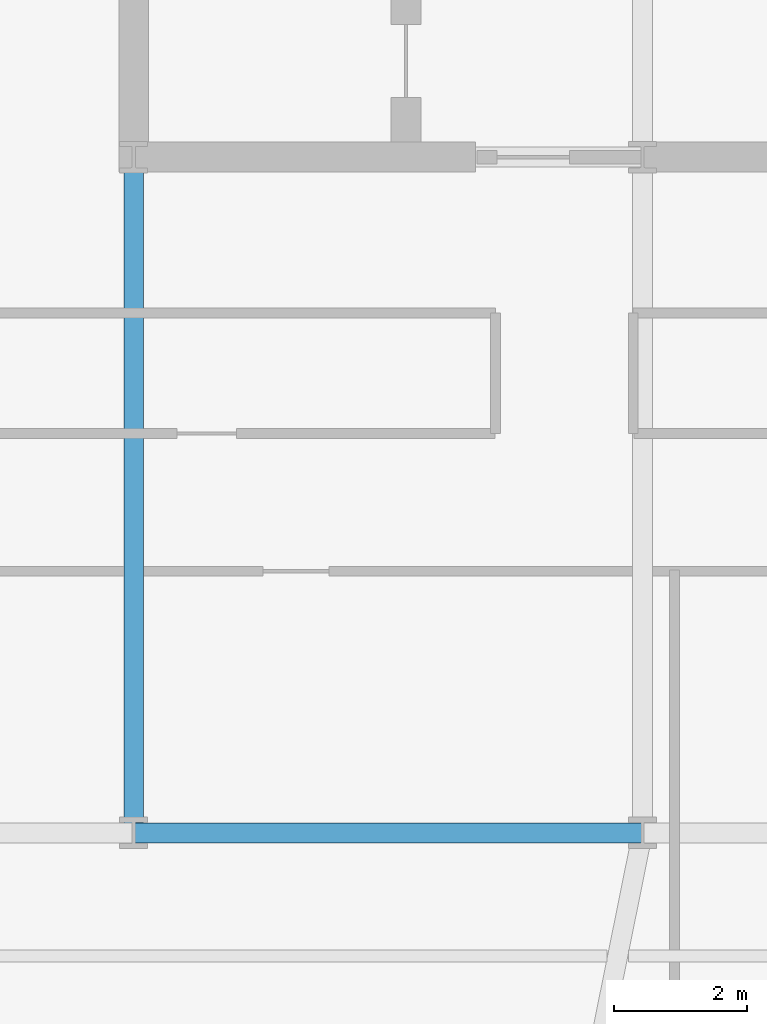
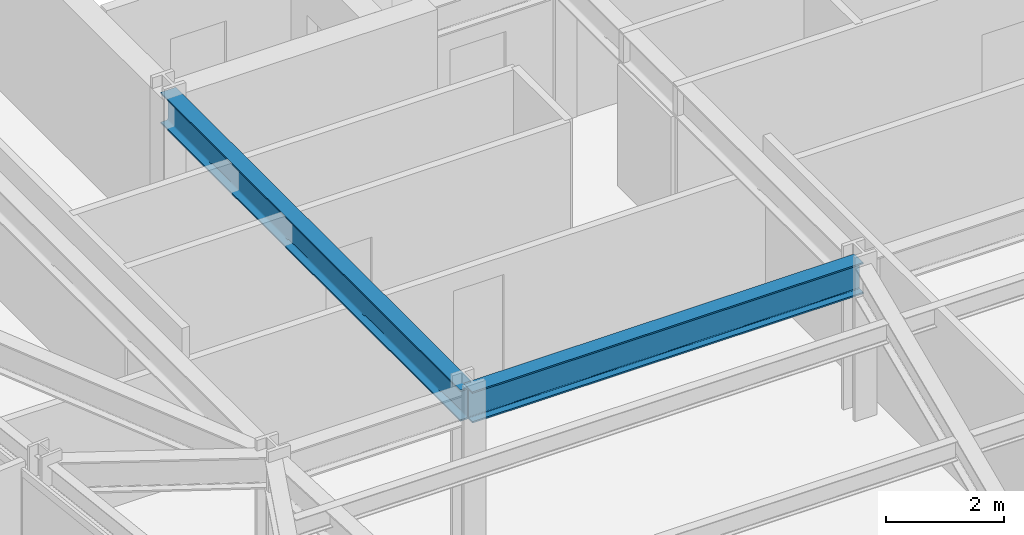
# One storey, part 7 of 32: 2 beams.
"""IFC4 building model written with IfcOpenShell, lengths in metres."""

from ifc_helpers import new_model, si_unit, direction, frame, origin, origin_2d, place, context, subcontext, project, spatial, i_section, extrude, material, material_profile, profile_set, type_object, element, save


model = new_model("IFC4")

# Units and contexts
model_context = context("Model", 3, precision=1e-05, world=origin(), true_north=direction((0.0, 1.0)))
body_context = subcontext(model_context, "Body", "Model", "MODEL_VIEW")
ifc_project = project(units=[si_unit("LENGTHUNIT", "METRE"), si_unit("AREAUNIT", "SQUARE_METRE"), si_unit("VOLUMEUNIT", "CUBIC_METRE"), si_unit("PLANEANGLEUNIT", "RADIAN"), si_unit("MASSUNIT", "GRAM", prefix="KILO")], contexts=[model_context])

# Site, building, storey
site_placement = place(None, origin())
site = spatial("IfcSite", under=ifc_project, at=site_placement, CompositionType="ELEMENT")
building_placement = place(site_placement, origin())
building = spatial("IfcBuilding", under=site, at=building_placement, Name="Yelkora Congress Tower", CompositionType="ELEMENT")
storey_placement = place(building_placement, frame((0.0, 0.0, 113.5)))
storey = spatial("IfcBuildingStorey", under=building, at=storey_placement, Name="L30", CompositionType="ELEMENT", Elevation=113.5)

# Beams
ifc_material = material(Name="Steel S355J2", Category="steel")
ifc_material_profile = material_profile(ifc_material, i_section(OverallWidth=0.300048828125, OverallDepth=0.64990234375, WebThickness=0.01611328125, FlangeThickness=0.031005859375, FilletRadius=0.027099609375, at=origin_2d()), Name="HEB 650")
ifc_profile_set = profile_set([ifc_material_profile], Name="Steel S355J2")
beam_type = type_object("IfcBeamType", Name="BM-GIRD-HEB650", PredefinedType="BEAM", material=ifc_profile_set)
beam_1_placement = place(storey_placement, frame((23.0400390625, 25.199951171875, 2.85498046875), z_axis=(1.0, 0.0, 0.0), x_axis=(0.0, 1.0, 0.0)))
element("IfcBeam", 1, at=beam_1_placement, inside=storey, type_object=beam_type, Name="L30 Spine Grid D Girder 2", PredefinedType="BEAM", context=body_context, shape_type="SweptSolid", body=[
    extrude(i_section(OverallWidth=0.300048828125, OverallDepth=0.64990234375, WebThickness=0.01611328125, FlangeThickness=0.031005859375, FilletRadius=0.027099609375, at=origin_2d()), origin(), (0.0, 0.0, 1.0), 7.679931640625),
])
beam_2_placement = place(storey_placement, frame((23.0400390625, 25.199951171875, 2.85498046875), z_axis=(0.0, 1.0, 0.0), x_axis=(-1.0, 0.0, 0.0)))
element("IfcBeam", 2, at=beam_2_placement, inside=storey, type_object=beam_type, Name="L30 Core Tie Girder MC-D1", PredefinedType="BEAM", context=body_context, shape_type="SweptSolid", body=[
    extrude(i_section(OverallWidth=0.300048828125, OverallDepth=0.64990234375, WebThickness=0.01611328125, FlangeThickness=0.031005859375, FilletRadius=0.027099609375, at=origin_2d()), origin(), (0.0, 0.0, 1.0), 10.199951171875),
])

save(model, "model.ifc")
